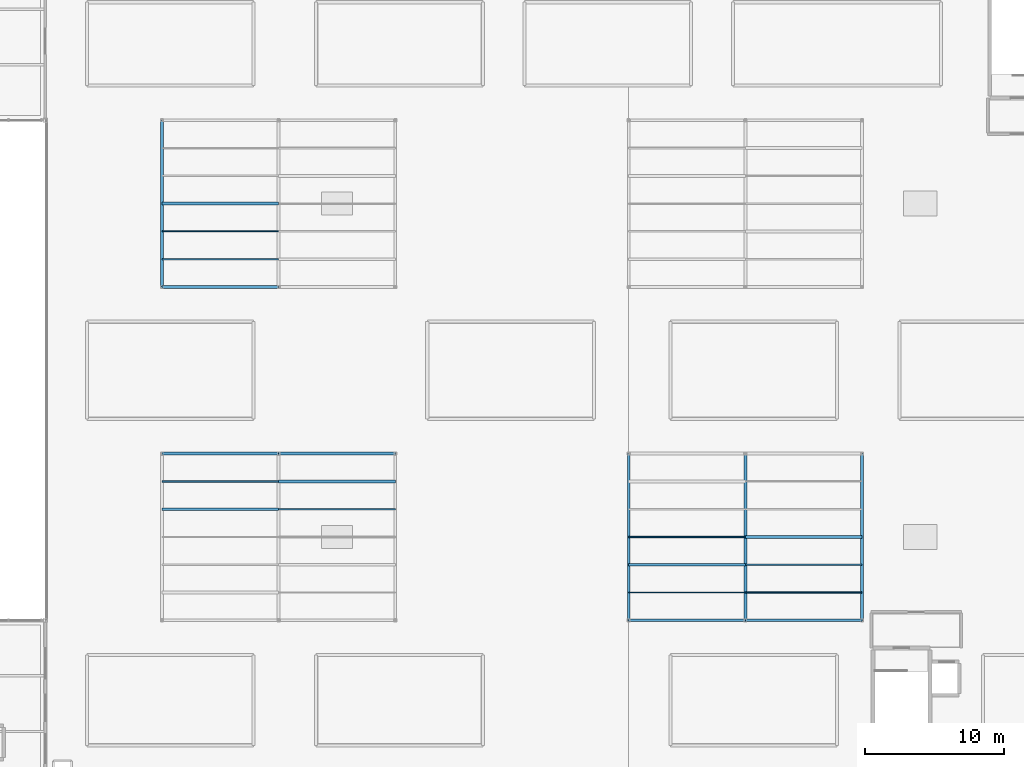
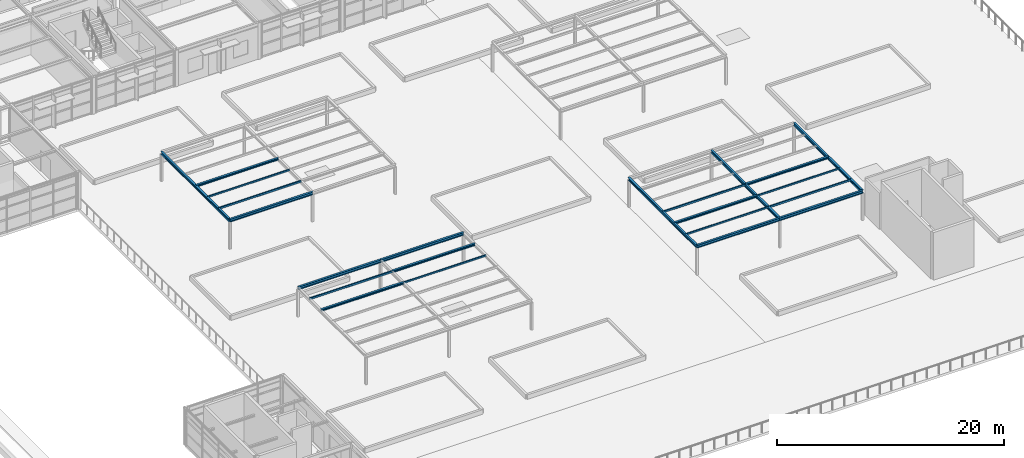
# One storey, part 18 of 49: 13 members, 9 beams.
"""IFC4 building model written with IfcOpenShell, lengths in metres."""

from ifc_helpers import new_model, si_unit, direction, frame, origin, origin_2d, place, context, subcontext, project, spatial, hollow_rectangle, i_section, extrude, material, material_profile, profile_set, type_object, element, save


model = new_model("IFC4")

# Units and contexts
model_context = context("Model", 3, precision=1e-05, world=origin(), true_north=direction((0.0, 1.0)))
body_context = subcontext(model_context, "Body", "Model", "MODEL_VIEW")
ifc_project = project(units=[si_unit("LENGTHUNIT", "METRE"), si_unit("AREAUNIT", "SQUARE_METRE"), si_unit("VOLUMEUNIT", "CUBIC_METRE"), si_unit("PLANEANGLEUNIT", "RADIAN"), si_unit("MASSUNIT", "GRAM", prefix="KILO")], contexts=[model_context])

# Site, building, storey
site_placement = place(None, origin())
site = spatial("IfcSite", under=ifc_project, at=site_placement, CompositionType="ELEMENT")
building_placement = place(site_placement, origin())
building = spatial("IfcBuilding", under=site, at=building_placement, Name="Sitalva Quay Ferry Terminal", CompositionType="ELEMENT")
storey_placement = place(building_placement, frame((0.0, 0.0, 10.199951171875)))
storey = spatial("IfcBuildingStorey", under=building, at=storey_placement, Name="L03", CompositionType="ELEMENT", Elevation=10.199951171875)

# Beams
ifc_material_1 = material(Name="Structural Steel S355JR", Category="steel")
ifc_material_profile_1 = material_profile(ifc_material_1, i_section(OverallWidth=0.202880859375, OverallDepth=0.302978515625, WebThickness=0.007568359375, FlangeThickness=0.01318359375, FilletRadius=0.011962890625, at=origin_2d()), Name="W310x60")
ifc_profile_set_1 = profile_set([ifc_material_profile_1], Name="Structural Steel S355JR")
beam_type = type_object("IfcBeamType", Name="Beam_W310x60", PredefinedType="BEAM", material=ifc_profile_set_1)
beam_1_placement = place(storey_placement, frame((92.39990234375, 42.0, 3.048583984375), z_axis=(1.0, 0.0, 0.0), x_axis=(0.0, 1.0, 0.0)))
element("IfcBeam", 1, at=beam_1_placement, inside=storey, type_object=beam_type, Name="L03 Primary X girder 1299", PredefinedType="BEAM", context=body_context, shape_type="SweptSolid", body=[
    extrude(i_section(OverallWidth=0.202880859375, OverallDepth=0.302978515625, WebThickness=0.007568359375, FlangeThickness=0.01318359375, FilletRadius=0.011962890625, at=origin_2d()), origin(), (0.0, 0.0, 1.0), 8.400146484375),
])
beam_2_placement = place(storey_placement, frame((100.800048828125, 42.0, 3.048583984375), z_axis=(1.0, 0.0, 0.0), x_axis=(0.0, 1.0, 0.0)))
element("IfcBeam", 2, at=beam_2_placement, inside=storey, type_object=beam_type, Name="L03 Primary X girder 1300", PredefinedType="BEAM", context=body_context, shape_type="SweptSolid", body=[
    extrude(i_section(OverallWidth=0.202880859375, OverallDepth=0.302978515625, WebThickness=0.007568359375, FlangeThickness=0.01318359375, FilletRadius=0.011962890625, at=origin_2d()), origin(), (0.0, 0.0, 1.0), 8.39990234375),
])
beam_3_placement = place(storey_placement, frame((92.39990234375, 54.0, 3.048583984375), z_axis=(1.0, 0.0, 0.0), x_axis=(0.0, 1.0, 0.0)))
element("IfcBeam", 3, at=beam_3_placement, inside=storey, type_object=beam_type, Name="L03 Primary X girder 1304", PredefinedType="BEAM", context=body_context, shape_type="SweptSolid", body=[
    extrude(i_section(OverallWidth=0.202880859375, OverallDepth=0.302978515625, WebThickness=0.007568359375, FlangeThickness=0.01318359375, FilletRadius=0.011962890625, at=origin_2d()), origin(), (0.0, 0.0, 1.0), 8.400146484375),
])
beam_4_placement = place(storey_placement, frame((92.39990234375, 54.0, 3.048583984375), z_axis=(0.0, 1.0, 0.0), x_axis=(-1.0, 0.0, 0.0)))
element("IfcBeam", 4, at=beam_4_placement, inside=storey, type_object=beam_type, Name="L03 Primary Y girder 1308", PredefinedType="BEAM", context=body_context, shape_type="SweptSolid", body=[
    extrude(i_section(OverallWidth=0.202880859375, OverallDepth=0.302978515625, WebThickness=0.007568359375, FlangeThickness=0.01318359375, FilletRadius=0.011962890625, at=origin_2d()), origin(), (0.0, 0.0, 1.0), 12.0),
])
beam_5_placement = place(storey_placement, frame((126.0, 30.0, 3.048583984375), z_axis=(1.0, 0.0, 0.0), x_axis=(0.0, 1.0, 0.0)))
element("IfcBeam", 5, at=beam_5_placement, inside=storey, type_object=beam_type, Name="L03 Primary X girder 1311", PredefinedType="BEAM", context=body_context, shape_type="SweptSolid", body=[
    extrude(i_section(OverallWidth=0.202880859375, OverallDepth=0.302978515625, WebThickness=0.007568359375, FlangeThickness=0.01318359375, FilletRadius=0.011962890625, at=origin_2d()), origin(), (0.0, 0.0, 1.0), 8.39990234375),
])
beam_6_placement = place(storey_placement, frame((134.39990234375, 30.0, 3.048583984375), z_axis=(1.0, 0.0, 0.0), x_axis=(0.0, 1.0, 0.0)))
element("IfcBeam", 6, at=beam_6_placement, inside=storey, type_object=beam_type, Name="L03 Primary X girder 1312", PredefinedType="BEAM", context=body_context, shape_type="SweptSolid", body=[
    extrude(i_section(OverallWidth=0.202880859375, OverallDepth=0.302978515625, WebThickness=0.007568359375, FlangeThickness=0.01318359375, FilletRadius=0.011962890625, at=origin_2d()), origin(), (0.0, 0.0, 1.0), 8.400146484375),
])
for number, where, z_axis, x_axis, name in (
    (7, (126.0, 30.0, 3.048583984375), (0.0, 1.0, 0.0), (-1.0, 0.0, 0.0), "L03 Primary Y girder 1315"),
    (8, (134.39990234375, 30.0, 3.048583984375), (0.0, 1.0, 0.0), (-1.0, 0.0, 0.0), "L03 Primary Y girder 1316"),
    (9, (142.800048828125, 30.0, 3.048583984375), (0.0, 1.0, 0.0), (-1.0, 0.0, 0.0), "L03 Primary Y girder 1317"),
):
    element("IfcBeam", number, at=place(storey_placement, frame(where, z_axis=z_axis, x_axis=x_axis)), inside=storey, type_object=beam_type, Name=name, PredefinedType="BEAM", context=body_context, shape_type="SweptSolid", body=[
        extrude(i_section(OverallWidth=0.202880859375, OverallDepth=0.302978515625, WebThickness=0.007568359375, FlangeThickness=0.01318359375, FilletRadius=0.011962890625, at=origin_2d()), origin(), (0.0, 0.0, 1.0), 12.0),
    ])

# Members
ifc_material_2 = material(Name="Structural Steel S355JR", Category="steel")
ifc_material_profile_2 = material_profile(ifc_material_2, hollow_rectangle(XDim=0.10009765625, YDim=0.179931640625, WallThickness=0.008056640625, InnerFilletRadius=0.008056640625, OuterFilletRadius=0.01611328125, at=origin_2d()), Name="RHS180x100x8")
ifc_profile_set_2 = profile_set([ifc_material_profile_2], Name="Structural Steel S355JR")
member_type_1 = type_object("IfcMemberType", Name="Purlin_RHS180x100", PredefinedType="PURLIN", material=ifc_profile_set_2)
member_1_placement = place(storey_placement, frame((100.800048828125, 38.0, 3.110107421875), z_axis=(1.0, 0.0, 0.0), x_axis=(0.0, 1.0, 0.0)))
element("IfcMember", 10, at=member_1_placement, inside=storey, type_object=member_type_1, Name="Roof garden shade pergola trellis 009", PredefinedType="PURLIN", context=body_context, shape_type="SweptSolid", body=[
    extrude(hollow_rectangle(XDim=0.10009765625, YDim=0.179931640625, WallThickness=0.008056640625, InnerFilletRadius=0.008056640625, OuterFilletRadius=0.01611328125, at=origin_2d()), origin(), (0.0, 0.0, 1.0), 8.39990234375),
])
member_2_placement = place(storey_placement, frame((92.39990234375, 58.0, 3.110107421875), z_axis=(1.0, 0.0, 0.0), x_axis=(0.0, 1.0, 0.0)))
element("IfcMember", 11, at=member_2_placement, inside=storey, type_object=member_type_1, Name="Roof garden shade pergola trellis 012", PredefinedType="PURLIN", context=body_context, shape_type="SweptSolid", body=[
    extrude(hollow_rectangle(XDim=0.10009765625, YDim=0.179931640625, WallThickness=0.008056640625, InnerFilletRadius=0.008056640625, OuterFilletRadius=0.01611328125, at=origin_2d()), origin(), (0.0, 0.0, 1.0), 8.400146484375),
])
member_3_placement = place(storey_placement, frame((126.0, 32.0, 3.110107421875), z_axis=(1.0, 0.0, 0.0), x_axis=(0.0, 1.0, 0.0)))
element("IfcMember", 12, at=member_3_placement, inside=storey, type_object=member_type_1, Name="Roof garden shade pergola trellis 021", PredefinedType="PURLIN", context=body_context, shape_type="SweptSolid", body=[
    extrude(hollow_rectangle(XDim=0.10009765625, YDim=0.179931640625, WallThickness=0.008056640625, InnerFilletRadius=0.008056640625, OuterFilletRadius=0.01611328125, at=origin_2d()), origin(), (0.0, 0.0, 1.0), 8.39990234375),
])
member_4_placement = place(storey_placement, frame((134.39990234375, 34.0, 3.110107421875), z_axis=(1.0, 0.0, 0.0), x_axis=(0.0, 1.0, 0.0)))
element("IfcMember", 13, at=member_4_placement, inside=storey, type_object=member_type_1, Name="Roof garden shade pergola trellis 027", PredefinedType="PURLIN", context=body_context, shape_type="SweptSolid", body=[
    extrude(hollow_rectangle(XDim=0.10009765625, YDim=0.179931640625, WallThickness=0.008056640625, InnerFilletRadius=0.008056640625, OuterFilletRadius=0.01611328125, at=origin_2d()), origin(), (0.0, 0.0, 1.0), 8.400146484375),
])
ifc_material_3 = material(Name="Structural Steel S355JR", Category="steel")
ifc_material_profile_3 = material_profile(ifc_material_3, hollow_rectangle(XDim=0.1201171875, YDim=0.199951171875, WallThickness=0.008056640625, InnerFilletRadius=0.008056640625, OuterFilletRadius=0.01611328125, at=origin_2d()), Name="RHS200x120x8")
ifc_profile_set_3 = profile_set([ifc_material_profile_3], Name="Structural Steel S355JR")
member_type_2 = type_object("IfcMemberType", Name="Purlin_RHS200x120", PredefinedType="PURLIN", material=ifc_profile_set_3)
for number, where, z_axis, x_axis, name in (
    (14, (92.39990234375, 40.0, 3.10009765625), (1.0, 0.0, 0.0), (0.0, 1.0, 0.0), "Roof garden shade pergola trellis 005"),
    (15, (92.39990234375, 56.0, 3.10009765625), (1.0, 0.0, 0.0), (0.0, 1.0, 0.0), "Roof garden shade pergola trellis 011"),
):
    element("IfcMember", number, at=place(storey_placement, frame(where, z_axis=z_axis, x_axis=x_axis)), inside=storey, type_object=member_type_2, Name=name, PredefinedType="PURLIN", context=body_context, shape_type="SweptSolid", body=[
        extrude(hollow_rectangle(XDim=0.1201171875, YDim=0.199951171875, WallThickness=0.008056640625, InnerFilletRadius=0.008056640625, OuterFilletRadius=0.01611328125, at=origin_2d()), origin(), (0.0, 0.0, 1.0), 8.400146484375),
    ])
member_5_placement = place(storey_placement, frame((126.0, 36.0, 3.10009765625), z_axis=(1.0, 0.0, 0.0), x_axis=(0.0, 1.0, 0.0)))
element("IfcMember", 16, at=member_5_placement, inside=storey, type_object=member_type_2, Name="Roof garden shade pergola trellis 023", PredefinedType="PURLIN", context=body_context, shape_type="SweptSolid", body=[
    extrude(hollow_rectangle(XDim=0.1201171875, YDim=0.199951171875, WallThickness=0.008056640625, InnerFilletRadius=0.008056640625, OuterFilletRadius=0.01611328125, at=origin_2d()), origin(), (0.0, 0.0, 1.0), 8.39990234375),
])
member_6_placement = place(storey_placement, frame((134.39990234375, 32.0, 3.10009765625), z_axis=(1.0, 0.0, 0.0), x_axis=(0.0, 1.0, 0.0)))
element("IfcMember", 17, at=member_6_placement, inside=storey, type_object=member_type_2, Name="Roof garden shade pergola trellis 026", PredefinedType="PURLIN", context=body_context, shape_type="SweptSolid", body=[
    extrude(hollow_rectangle(XDim=0.1201171875, YDim=0.199951171875, WallThickness=0.008056640625, InnerFilletRadius=0.008056640625, OuterFilletRadius=0.01611328125, at=origin_2d()), origin(), (0.0, 0.0, 1.0), 8.400146484375),
])
ifc_material_4 = material(Name="Structural Steel S355JR", Category="steel")
ifc_material_profile_4 = material_profile(ifc_material_4, i_section(OverallWidth=0.202880859375, OverallDepth=0.202880859375, WebThickness=0.007080078125, FlangeThickness=0.010986328125, FilletRadius=0.010009765625, at=origin_2d()), Name="W200x46")
ifc_profile_set_4 = profile_set([ifc_material_profile_4], Name="Structural Steel S355JR")
member_type_3 = type_object("IfcMemberType", Name="Purlin_W200x46", PredefinedType="PURLIN", material=ifc_profile_set_4)
member_7_placement = place(storey_placement, frame((92.39990234375, 38.0, 3.0986328125), z_axis=(1.0, 0.0, 0.0), x_axis=(0.0, 1.0, 0.0)))
element("IfcMember", 18, at=member_7_placement, inside=storey, type_object=member_type_3, Name="Roof garden shade pergola trellis 004", PredefinedType="PURLIN", context=body_context, shape_type="SweptSolid", body=[
    extrude(i_section(OverallWidth=0.202880859375, OverallDepth=0.202880859375, WebThickness=0.007080078125, FlangeThickness=0.010986328125, FilletRadius=0.010009765625, at=origin_2d()), origin(), (0.0, 0.0, 1.0), 8.400146484375),
])
member_8_placement = place(storey_placement, frame((100.800048828125, 40.0, 3.0986328125), z_axis=(1.0, 0.0, 0.0), x_axis=(0.0, 1.0, 0.0)))
element("IfcMember", 19, at=member_8_placement, inside=storey, type_object=member_type_3, Name="Roof garden shade pergola trellis 010", PredefinedType="PURLIN", context=body_context, shape_type="SweptSolid", body=[
    extrude(i_section(OverallWidth=0.202880859375, OverallDepth=0.202880859375, WebThickness=0.007080078125, FlangeThickness=0.010986328125, FilletRadius=0.010009765625, at=origin_2d()), origin(), (0.0, 0.0, 1.0), 8.39990234375),
])
member_9_placement = place(storey_placement, frame((92.39990234375, 60.0, 3.0986328125), z_axis=(1.0, 0.0, 0.0), x_axis=(0.0, 1.0, 0.0)))
element("IfcMember", 20, at=member_9_placement, inside=storey, type_object=member_type_3, Name="Roof garden shade pergola trellis 013", PredefinedType="PURLIN", context=body_context, shape_type="SweptSolid", body=[
    extrude(i_section(OverallWidth=0.202880859375, OverallDepth=0.202880859375, WebThickness=0.007080078125, FlangeThickness=0.010986328125, FilletRadius=0.010009765625, at=origin_2d()), origin(), (0.0, 0.0, 1.0), 8.400146484375),
])
member_10_placement = place(storey_placement, frame((126.0, 34.0, 3.0986328125), z_axis=(1.0, 0.0, 0.0), x_axis=(0.0, 1.0, 0.0)))
element("IfcMember", 21, at=member_10_placement, inside=storey, type_object=member_type_3, Name="Roof garden shade pergola trellis 022", PredefinedType="PURLIN", context=body_context, shape_type="SweptSolid", body=[
    extrude(i_section(OverallWidth=0.202880859375, OverallDepth=0.202880859375, WebThickness=0.007080078125, FlangeThickness=0.010986328125, FilletRadius=0.010009765625, at=origin_2d()), origin(), (0.0, 0.0, 1.0), 8.39990234375),
])
member_11_placement = place(storey_placement, frame((134.39990234375, 36.0, 3.0986328125), z_axis=(1.0, 0.0, 0.0), x_axis=(0.0, 1.0, 0.0)))
element("IfcMember", 22, at=member_11_placement, inside=storey, type_object=member_type_3, Name="Roof garden shade pergola trellis 028", PredefinedType="PURLIN", context=body_context, shape_type="SweptSolid", body=[
    extrude(i_section(OverallWidth=0.202880859375, OverallDepth=0.202880859375, WebThickness=0.007080078125, FlangeThickness=0.010986328125, FilletRadius=0.010009765625, at=origin_2d()), origin(), (0.0, 0.0, 1.0), 8.400146484375),
])

save(model, "model.ifc")
